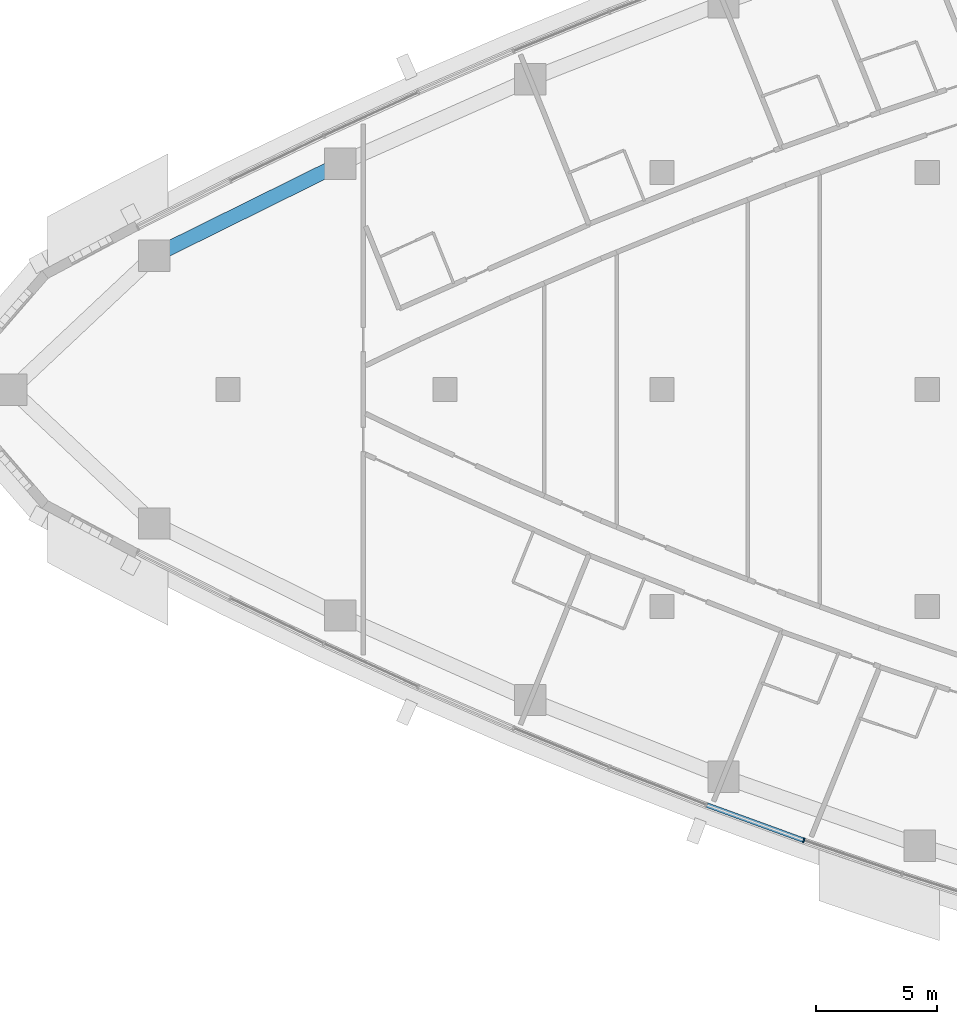
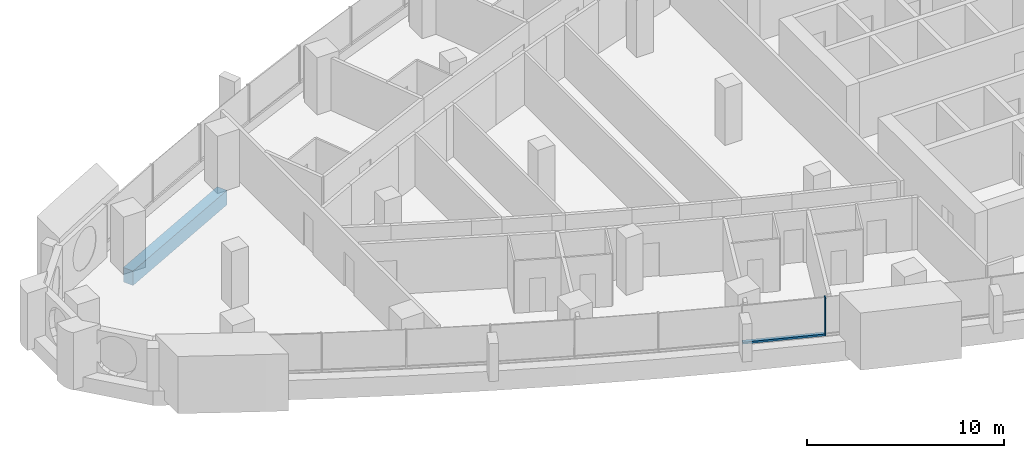
# One storey, part 3 of 17: 2 members, 1 beam, 1 element without a shape of its own.
"""IFC4 building model written with IfcOpenShell, lengths in metres."""

import ifcopenshell
import ifcopenshell.guid

model = None  # the IFC model being written
_history = None  # IfcOwnerHistory: only IFC2X3 demands one
_inside = {}  # id of a spatial element -> (the spatial element, [elements in it])
_under = {}  # id of a project, library or spatial element -> (it, [spatial elements below it])
_declared = {}  # id of a project -> (the project, [libraries it declares])
_typed = {}  # id of a type object -> (the type object, [elements of that type])
_made_of = {}  # id of a material, layer set ... -> (it, [elements and type objects made of it])


def new_model(schema):
    """Start an empty IFC model of exactly this schema.

    Asked for "IFC4X3", IfcOpenShell would pick the latest addendum, in which some entities
    have other attributes; the version numbers below select the first issue.
    IFC2X3 requires an IfcOwnerHistory on every rooted entity: one is made here for all.
    """
    global model, _history
    if schema == "IFC4X3":
        model = ifcopenshell.file(schema_version=(4, 3, 0, 0))
    else:
        model = ifcopenshell.file(schema=schema)
    _inside.clear()
    _under.clear()
    _declared.clear()
    _typed.clear()
    _made_of.clear()
    _history = None
    if model.schema == "IFC2X3":
        org = make("IfcOrganization", Name="unknown")
        user = make(
            "IfcPersonAndOrganization",
            ThePerson=make("IfcPerson", FamilyName="unknown"),
            TheOrganization=org,
        )
        app = make(
            "IfcApplication",
            ApplicationDeveloper=org,
            Version="unknown",
            ApplicationFullName="unknown",
            ApplicationIdentifier="unknown",
        )
        _history = make(
            "IfcOwnerHistory",
            OwningUser=user,
            OwningApplication=app,
            ChangeAction="ADDED",
            CreationDate=0,
        )
    return model


def make(cls, **values):
    """One entity of the class cls with the attributes given. An attribute that is None is left unset."""
    return model.create_entity(
        cls, **{name: value for name, value in values.items() if value is not None}
    )


def rooted(cls, **values):
    """An entity with a GlobalId (a new one), such as an element, a storey or a relation."""
    return make(cls, GlobalId=ifcopenshell.guid.new(), OwnerHistory=_history, **values)


def si_unit(unit_type, name, prefix=None):
    """IfcSIUnit, for example si_unit("LENGTHUNIT", "METRE", prefix="MILLI")."""
    return make("IfcSIUnit", UnitType=unit_type, Prefix=prefix, Name=name)


def assignment(units):
    """IfcUnitAssignment: the units of a project."""
    return None if units is None else make("IfcUnitAssignment", Units=units)


def point(xyz):
    """IfcCartesianPoint."""
    return None if xyz is None else make("IfcCartesianPoint", Coordinates=xyz)


def direction(xyz):
    """IfcDirection."""
    return None if xyz is None else make("IfcDirection", DirectionRatios=xyz)


def frame(location, z_axis=None, x_axis=None):
    """IfcAxis2Placement3D, a coordinate frame: its origin and axes. An axis left out is left unset."""
    return make(
        "IfcAxis2Placement3D",
        Location=point(location),
        Axis=direction(z_axis),
        RefDirection=direction(x_axis),
    )


def frame_2d(location, x_axis=None):
    """IfcAxis2Placement2D, a coordinate frame in the plane: its origin and x axis."""
    return make(
        "IfcAxis2Placement2D", Location=point(location), RefDirection=direction(x_axis)
    )


def origin():
    """The frame at (0, 0, 0) with its axes left unset."""
    return frame((0.0, 0.0, 0.0))


def origin_2d():
    """The frame at (0, 0) in the plane with its x axis left unset."""
    return frame_2d((0.0, 0.0))


def place(relative_to, where):
    """IfcLocalPlacement: puts the frame where relative to a parent placement (None: the world)."""
    return make(
        "IfcLocalPlacement", PlacementRelTo=relative_to, RelativePlacement=where
    )


def context(
    kind, dimensions, precision=None, world=None, true_north=None, identifier=None
):
    """IfcGeometricRepresentationContext, for example the 3D "Model" context."""
    return make(
        "IfcGeometricRepresentationContext",
        ContextIdentifier=identifier,
        ContextType=kind,
        CoordinateSpaceDimension=dimensions,
        Precision=precision,
        WorldCoordinateSystem=world,
        TrueNorth=true_north,
    )


def subcontext(parent, identifier, kind, view, scale=None):
    """IfcGeometricRepresentationSubContext, for example "Body" below "Model"."""
    return make(
        "IfcGeometricRepresentationSubContext",
        ContextIdentifier=identifier,
        ContextType=kind,
        ParentContext=parent,
        TargetScale=scale,
        TargetView=view,
    )


def project(units=None, contexts=None):
    """IfcProject with its units and contexts."""
    return rooted(
        "IfcProject",
        Name="project",
        RepresentationContexts=contexts,
        UnitsInContext=assignment(units),
    )


def spatial(cls, under=None, at=None, **own):
    """A site, building, storey or space (cls), placed at a placement, below another one or the project."""
    s = rooted(cls, ObjectPlacement=at, **own)
    if under is not None:
        _under.setdefault(under.id(), (under, []))[1].append(s)
    return s


def profile(cls, at=None, kind="AREA", **sizes):
    """A parametric profile (cls). Its sizes go by their IFC names, for example OverallWidth=200.0."""
    return make(cls, ProfileType=kind, Position=at, **sizes)


def rectangle(**sizes):
    """IfcRectangleProfileDef."""
    return profile("IfcRectangleProfileDef", **sizes)


def extrude(swept, where, along, depth):
    """IfcExtrudedAreaSolid: the profile swept, set in the frame where, extruded along a direction by depth."""
    return make(
        "IfcExtrudedAreaSolid",
        SweptArea=swept,
        Position=where,
        ExtrudedDirection=direction(along),
        Depth=depth,
    )


def shape(context_of_items, identifier, shape_type, items):
    """IfcShapeRepresentation: the items that make up one representation, for example the "Body"."""
    return make(
        "IfcShapeRepresentation",
        ContextOfItems=context_of_items,
        RepresentationIdentifier=identifier,
        RepresentationType=shape_type,
        Items=items,
    )


def material(Name=None, Category=None):
    """IfcMaterial."""
    return make("IfcMaterial", Name=Name, Category=Category)


def layer(
    of_material, thickness, ventilated=None, Name=None, Category=None, Priority=None
):
    """IfcMaterialLayer: one layer of a wall or slab, of a material (None: an air gap)."""
    return make(
        "IfcMaterialLayer",
        Material=of_material,
        LayerThickness=thickness,
        IsVentilated=ventilated,
        Name=Name,
        Category=Category,
        Priority=Priority,
    )


def layer_set(layers, Name=None):
    """IfcMaterialLayerSet."""
    return make("IfcMaterialLayerSet", MaterialLayers=layers, LayerSetName=Name)


def material_profile(
    of_material, cross_section, Name=None, Category=None, Priority=None
):
    """IfcMaterialProfile: a cross section and its material."""
    return make(
        "IfcMaterialProfile",
        Name=Name,
        Material=of_material,
        Profile=cross_section,
        Priority=Priority,
        Category=Category,
    )


def profile_set(profiles, Name=None, composite=None):
    """IfcMaterialProfileSet."""
    return make(
        "IfcMaterialProfileSet",
        Name=Name,
        MaterialProfiles=profiles,
        CompositeProfile=composite,
    )


def made_of(thing, what):
    """Note that an element or type object is made of a material, layer set ...; save() writes the relation."""
    if what is not None:
        _made_of.setdefault(what.id(), (what, []))[1].append(thing)
    return thing


def type_object(cls, material=None, **own):
    """A type object (cls), such as IfcWallType, which elements share."""
    return made_of(rooted(cls, **own), material)


def element(
    cls,
    number,
    at=None,
    inside=None,
    cuts=None,
    type_object=None,
    material=None,
    context=None,
    identifier="Body",
    shape_type=None,
    held_by="IfcProductDefinitionShape",
    body=None,
    shapes=None,
    **own,
):
    """One element of the class cls, such as IfcWall. Its Tag is "e" and its number.

    at: its placement. inside: the storey or other place that contains it. cuts: it is an
    opening in that element (IfcRelVoidsElement). A single representation is given by context,
    identifier, shape_type and body (its items); several are given by shapes. held_by: the class
    of the entity that holds the representations. save() writes the other relations.
    """
    e = rooted(cls, Tag="e%d" % number, ObjectPlacement=at, **own)
    if body is not None:
        shapes = [shape(context, identifier, shape_type, body)]
    if shapes is not None:
        e.Representation = make(held_by, Representations=shapes)
    if inside is not None:
        _inside.setdefault(inside.id(), (inside, []))[1].append(e)
    if cuts is not None:
        rooted(
            "IfcRelVoidsElement", RelatingBuildingElement=cuts, RelatedOpeningElement=e
        )
    if type_object is not None:
        _typed.setdefault(type_object.id(), (type_object, []))[1].append(e)
    return made_of(e, material)


def aggregate(whole, parts):
    """IfcRelAggregates: a whole, such as a stair, and the parts it consists of."""
    return rooted("IfcRelAggregates", RelatingObject=whole, RelatedObjects=parts)


def save(model, path):
    """Write the relations noted so far, then the file.

    IfcRelAggregates (storeys below a building ...), IfcRelContainedInSpatialStructure (elements
    in a storey), IfcRelDefinesByType, IfcRelAssociatesMaterial and IfcRelDeclares: one each for
    every whole, place, type object, material and project.
    """
    for whole, parts in _under.values():
        aggregate(whole, parts)
    for where, things in _inside.values():
        rooted(
            "IfcRelContainedInSpatialStructure",
            RelatedElements=things,
            RelatingStructure=where,
        )
    for kind, things in _typed.values():
        rooted("IfcRelDefinesByType", RelatedObjects=things, RelatingType=kind)
    for what, things in _made_of.values():
        rooted("IfcRelAssociatesMaterial", RelatedObjects=things, RelatingMaterial=what)
    for by, libraries in _declared.values():
        rooted("IfcRelDeclares", RelatingContext=by, RelatedDefinitions=libraries)
    model.write(path)


model = new_model("IFC4")

# Units and contexts
model_context = context("Model", 3, precision=1e-05, world=origin(), true_north=direction((0.0, 1.0)))
body_context = subcontext(model_context, "Body", "Model", "MODEL_VIEW")
ifc_project = project(units=[si_unit("LENGTHUNIT", "METRE"), si_unit("AREAUNIT", "SQUARE_METRE"), si_unit("VOLUMEUNIT", "CUBIC_METRE"), si_unit("PLANEANGLEUNIT", "RADIAN"), si_unit("MASSUNIT", "GRAM", prefix="KILO")], contexts=[model_context])

# Site, building, storey
site_placement = place(None, origin())
site = spatial("IfcSite", under=ifc_project, at=site_placement, CompositionType="ELEMENT")
building_placement = place(site_placement, origin())
building = spatial("IfcBuilding", under=site, at=building_placement, Name="Ostrand Prow Hotel Tower", CompositionType="ELEMENT")
storey_placement = place(building_placement, frame((0.0, 0.0, 175.5)))
storey = spatial("IfcBuildingStorey", under=building, at=storey_placement, Name="L43", CompositionType="ELEMENT", Elevation=175.5)

# Beam
ifc_material_1 = material(Name="Concrete C60/75", Category="concrete")
ifc_material_profile_1 = material_profile(ifc_material_1, rectangle(XDim=0.60009765625, YDim=0.89990234375, at=origin_2d()), Name="RC 600x900")
ifc_profile_set_1 = profile_set([ifc_material_profile_1], Name="Concrete C60/75")
beam_type = type_object("IfcBeamType", Name="Edge beam 600x900 C60/75", PredefinedType="SPANDREL", material=ifc_profile_set_1)
beam_placement = place(storey_placement, frame((20.656982421875, 9.373291015625, -0.75), z_axis=(-0.896383774903, -0.443278837856, 0.0), x_axis=(0.443278837856, -0.896383774903, 0.0)))
element("IfcBeam", 1, at=beam_placement, inside=storey, type_object=beam_type, Name="Edge beam N5-N6", PredefinedType="SPANDREL", context=body_context, shape_type="SweptSolid", body=[
    extrude(rectangle(XDim=0.60009765625, YDim=0.89990234375, at=origin_2d()), origin(), (0.0, 0.0, 1.0), 8.62158203125),
])

# Curtain wall, members
ifc_material_2 = material(Name="Insulated glass in bronze anodised frame", Category="glass")
ifc_layer = layer(ifc_material_2, 0.199951171875)
ifc_layer_set = layer_set([ifc_layer], Name="Insulated glass in bronze anodised frame")
curtain_wall_type = type_object("IfcCurtainWallType", Name="Strip curtain wall, fritted glass over bronze spandrel", PredefinedType="NOTDEFINED", material=ifc_layer_set)
curtain_wall_placement = place(storey_placement, origin())
curtain_wall = element("IfcCurtainWall", 2, at=curtain_wall_placement, inside=storey, type_object=curtain_wall_type, Name="CW1 run CWS4", PredefinedType="NOTDEFINED")
ifc_material_3 = material(Name="Bronze anodised aluminium", Category="aluminium")
ifc_material_profile_2 = material_profile(ifc_material_3, rectangle(XDim=0.199951171875, YDim=0.06005859375, at=origin_2d()), Name="Mullion 60x200 bronze anodised aluminium")
ifc_profile_set_2 = profile_set([ifc_material_profile_2], Name="Bronze anodised aluminium")
member_type_1 = type_object("IfcMemberType", Name="Mullion 60x200 bronze anodised aluminium", PredefinedType="MULLION", material=ifc_profile_set_2)
member_1_placement = place(storey_placement, frame((39.87939453125, -18.696533203125, 0.89990234375), z_axis=(0.0, 0.0, 1.0), x_axis=(0.322908332404, 0.946430245113, 0.0)))
member_1 = element("IfcMember", 3, at=member_1_placement, type_object=member_type_1, Name="CW1 mullion 2", PredefinedType="MULLION", context=body_context, shape_type="SweptSolid", body=[
    extrude(rectangle(XDim=0.199951171875, YDim=0.06005859375, at=origin_2d()), origin(), (0.0, 0.0, 1.0), 2.35009765625),
])
ifc_material_4 = material(Name="Bronze anodised aluminium", Category="aluminium")
ifc_material_profile_3 = material_profile(ifc_material_4, rectangle(XDim=0.199951171875, YDim=0.1201171875, at=origin_2d()), Name="Transom 120x200 bronze anodised aluminium")
ifc_profile_set_3 = profile_set([ifc_material_profile_3], Name="Bronze anodised aluminium")
member_type_2 = type_object("IfcMemberType", Name="Transom 120x200 bronze anodised aluminium", PredefinedType="USERDEFINED", material=ifc_profile_set_3)
member_2_placement = place(storey_placement, frame((35.86181640625, -17.235107421875, 0.9599609375), z_axis=(0.939753116272, -0.341853887584, 0.0), x_axis=(0.341853887584, 0.939753116272, 0.0)))
member_2 = element("IfcMember", 4, at=member_2_placement, type_object=member_type_2, Name="CW1 transom 1.1", ObjectType="TRANSOM", PredefinedType="USERDEFINED", context=body_context, shape_type="SweptSolid", body=[
    extrude(rectangle(XDim=0.199951171875, YDim=0.1201171875, at=origin_2d()), origin(), (0.0, 0.0, 1.0), 4.2451171875),
])
aggregate(curtain_wall, [member_1, member_2])

save(model, "model.ifc")
